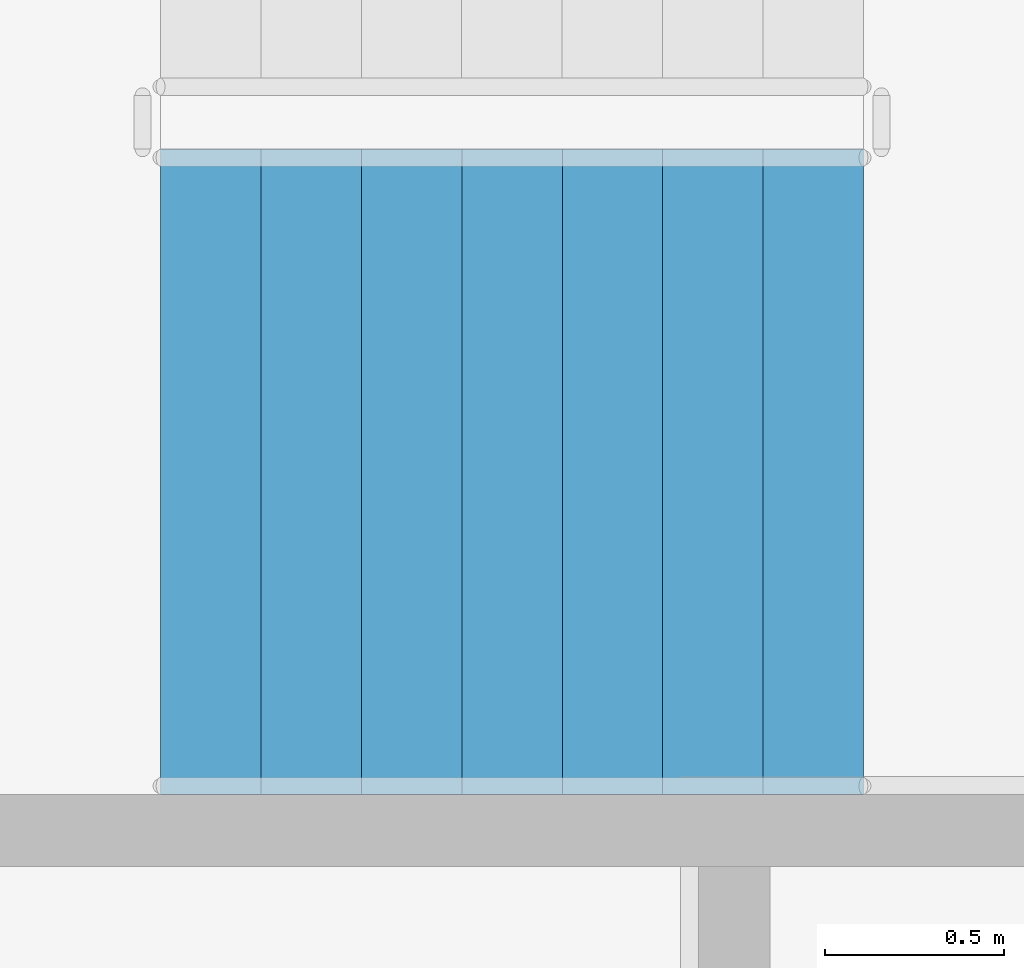
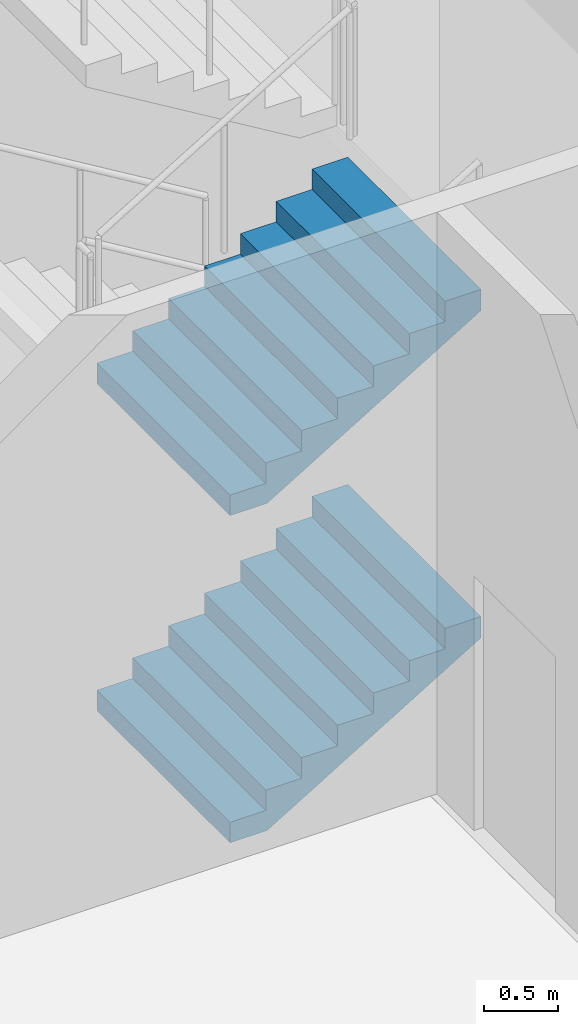
# One storey, part 35 of 101: 2 stair flights, 1 element without a shape of its own.
"""IFC4 building model written with IfcOpenShell, lengths in metres."""

from ifc_helpers import new_model, si_unit, direction, frame, origin, place, context, subcontext, project, spatial, triangles, material, type_object, element, aggregate, save


model = new_model("IFC4")

# Units and contexts
model_context = context("Model", 3, precision=1e-05, world=origin(), true_north=direction((0.0, 1.0)))
body_context = subcontext(model_context, "Body", "Model", "MODEL_VIEW")
ifc_project = project(units=[si_unit("LENGTHUNIT", "METRE"), si_unit("AREAUNIT", "SQUARE_METRE"), si_unit("VOLUMEUNIT", "CUBIC_METRE"), si_unit("PLANEANGLEUNIT", "RADIAN"), si_unit("MASSUNIT", "GRAM", prefix="KILO")], contexts=[model_context])

# Site, building, storey
site_placement = place(None, origin())
site = spatial("IfcSite", under=ifc_project, at=site_placement, CompositionType="ELEMENT")
building_placement = place(site_placement, origin())
building = spatial("IfcBuilding", under=site, at=building_placement, Name="Magnolia Steps Interchange", CompositionType="ELEMENT")
storey_placement = place(building_placement, frame((0.0, 0.0, -5.39990234375)))
storey = spatial("IfcBuildingStorey", under=building, at=storey_placement, Name="B1", CompositionType="ELEMENT", Elevation=-5.39990234375)

# Stair, stair flights
ifc_material_1 = material(Name="Concrete C40", Category="concrete")
stair_type = type_object("IfcStairType", Name="Exit stair 1800", PredefinedType="HALF_TURN_STAIR", material=ifc_material_1)
stair_placement = place(storey_placement, origin())
stair = element("IfcStair", 1, at=stair_placement, inside=storey, type_object=stair_type, Name="B1 Stair 25", PredefinedType="HALF_TURN_STAIR")
ifc_material_2 = material(Name="Concrete C40", Category="concrete")
stair_flight_type = type_object("IfcStairFlightType", Name="Exit stair flight", PredefinedType="STRAIGHT", material=ifc_material_2)
stair_flight_1_placement = place(storey_placement, frame((38.199951171875, 17.550048828125, 0.0), z_axis=(0.0, 0.0, 1.0), x_axis=(1.0, 0.0, 0.0)))
stair_flight_1 = element("IfcStairFlight", 2, at=stair_flight_1_placement, type_object=stair_flight_type, Name="Stair 25 flight 1", NumberOfRisers=8, NumberOfTreads=7, PredefinedType="STRAIGHT", RiserHeight=0.16875, TreadLength=0.28, context=body_context, shape_type="Tessellation", body=[
    triangles([(0.0, -0.9000244140625, 0.0), (0.29052734375, -0.9000244140625, 0.0), (1.9599609375, -0.9000244140625, 1.00634765625), (1.9599609375, -0.9000244140625, 1.18115234375), (1.679931640625, -0.9000244140625, 1.18115234375), (1.679931640625, -0.9000244140625, 1.012451171875), (1.39990234375, -0.9000244140625, 1.012451171875), (1.39990234375, -0.9000244140625, 0.84375), (1.1201171875, -0.9000244140625, 0.84375), (1.1201171875, -0.9000244140625, 0.675048828125), (0.840087890625, -0.9000244140625, 0.675048828125), (0.840087890625, -0.9000244140625, 0.50634765625), (0.56005859375, -0.9000244140625, 0.50634765625), (0.56005859375, -0.9000244140625, 0.33740234375), (0.280029296875, -0.9000244140625, 0.33740234375), (0.280029296875, -0.9000244140625, 0.168701171875), (0.0, -0.9000244140625, 0.168701171875), (0.0, 0.9000244140625, 0.0), (0.29052734375, 0.9000244140625, 0.0), (1.9599609375, 0.9000244140625, 1.00634765625), (1.9599609375, 0.9000244140625, 1.18115234375), (1.679931640625, 0.9000244140625, 1.18115234375), (1.679931640625, 0.9000244140625, 1.012451171875), (1.39990234375, 0.9000244140625, 1.012451171875), (1.39990234375, 0.9000244140625, 0.84375), (1.1201171875, 0.9000244140625, 0.84375), (1.1201171875, 0.9000244140625, 0.675048828125), (0.840087890625, 0.9000244140625, 0.675048828125), (0.840087890625, 0.9000244140625, 0.50634765625), (0.56005859375, 0.9000244140625, 0.50634765625), (0.56005859375, 0.9000244140625, 0.33740234375), (0.280029296875, 0.9000244140625, 0.33740234375), (0.280029296875, 0.9000244140625, 0.168701171875), (0.0, 0.9000244140625, 0.168701171875), (0.0, 0.0, 0.0), (0.0, 0.0, 0.04217529296875), (0.0, 0.0, 0.0843505859375), (0.0, 0.0, 0.12652587890625), (0.0, 0.0, 0.168701171875), (0.0, -0.05, 0.0), (0.0, -0.05, 0.168701171875), (0.0, 0.05, 0.0), (0.0, 0.05, 0.168701171875), (0.046671549479166664, 0.0, 0.168701171875), (0.09334309895833333, 0.0, 0.168701171875), (0.1400146484375, 0.0, 0.168701171875), (0.18668619791666666, 0.0, 0.168701171875), (0.23335774739583334, 0.0, 0.168701171875), (0.280029296875, 0.0, 0.168701171875), (0.280029296875, -0.05, 0.168701171875), (0.280029296875, 0.05, 0.168701171875), (0.280029296875, 0.0, 0.21087646484375), (0.280029296875, 0.0, 0.2530517578125), (0.280029296875, 0.0, 0.29522705078125), (0.280029296875, 0.0, 0.33740234375), (0.280029296875, -0.05, 0.33740234375), (0.280029296875, 0.05, 0.33740234375), (0.3267008463541667, 0.0, 0.33740234375), (0.3733723958333333, 0.0, 0.33740234375), (0.4200439453125, 0.0, 0.33740234375), (0.46671549479166663, 0.0, 0.33740234375), (0.5133870442708334, 0.0, 0.33740234375), (0.56005859375, 0.0, 0.33740234375), (0.56005859375, -0.05, 0.33740234375), (0.56005859375, 0.05, 0.33740234375), (0.56005859375, 0.0, 0.379638671875), (0.56005859375, 0.0, 0.421875), (0.56005859375, 0.0, 0.464111328125), (0.56005859375, 0.0, 0.50634765625), (0.56005859375, -0.05, 0.50634765625), (0.56005859375, 0.05, 0.50634765625), (0.6067301432291666, 0.0, 0.50634765625), (0.6534016927083334, 0.0, 0.50634765625), (0.7000732421875, 0.0, 0.50634765625), (0.7467447916666666, 0.0, 0.50634765625), (0.7934163411458334, 0.0, 0.50634765625), (0.840087890625, 0.0, 0.50634765625), (0.840087890625, -0.05, 0.50634765625), (0.840087890625, 0.05, 0.50634765625), (0.840087890625, 0.0, 0.54852294921875), (0.840087890625, 0.0, 0.5906982421875), (0.840087890625, 0.0, 0.63287353515625), (0.840087890625, 0.0, 0.675048828125), (0.840087890625, -0.05, 0.675048828125), (0.840087890625, 0.05, 0.675048828125), (0.8867594401041666, 0.0, 0.675048828125), (0.9334309895833334, 0.0, 0.675048828125), (0.9801025390625, 0.0, 0.675048828125), (1.0267740885416667, 0.0, 0.675048828125), (1.0734456380208333, 0.0, 0.675048828125), (1.1201171875, 0.0, 0.675048828125), (1.1201171875, -0.05, 0.675048828125), (1.1201171875, 0.05, 0.675048828125), (1.1201171875, 0.0, 0.71722412109375), (1.1201171875, 0.0, 0.7593994140625), (1.1201171875, 0.0, 0.80157470703125), (1.1201171875, 0.0, 0.84375), (1.1201171875, -0.05, 0.84375), (1.1201171875, 0.05, 0.84375), (1.1900634765625, 0.0, 0.84375), (1.260009765625, 0.0, 0.84375), (1.3299560546875, 0.0, 0.84375), (1.39990234375, 0.0, 0.84375), (1.39990234375, -0.05, 0.84375), (1.39990234375, 0.05, 0.84375), (1.39990234375, 0.0, 0.88592529296875), (1.39990234375, 0.0, 0.9281005859375), (1.39990234375, 0.0, 0.97027587890625), (1.39990234375, 0.0, 1.012451171875), (1.39990234375, -0.05, 1.012451171875), (1.39990234375, 0.05, 1.012451171875), (1.4465738932291667, 0.0, 1.012451171875), (1.4932454427083333, 0.0, 1.012451171875), (1.5399169921875, 0.0, 1.012451171875), (1.5865885416666667, 0.0, 1.012451171875), (1.6332600911458333, 0.0, 1.012451171875), (1.679931640625, 0.0, 1.012451171875), (1.679931640625, -0.05, 1.012451171875), (1.679931640625, 0.05, 1.012451171875), (1.679931640625, 0.0, 1.05462646484375), (1.679931640625, 0.0, 1.0968017578125), (1.679931640625, 0.0, 1.13897705078125), (1.679931640625, 0.0, 1.18115234375), (1.679931640625, -0.05, 1.18115234375), (1.679931640625, 0.05, 1.18115234375), (1.7266031901041667, 0.0, 1.18115234375), (1.7732747395833333, 0.0, 1.18115234375), (1.8199462890625, 0.0, 1.18115234375), (1.8666178385416667, 0.0, 1.18115234375), (1.9132893880208333, 0.0, 1.18115234375), (1.9599609375, 0.0, 1.18115234375), (1.9599609375, -0.05, 1.18115234375), (1.9599609375, 0.05, 1.18115234375), (1.9599609375, 0.0, 1.137451171875), (1.9599609375, 0.0, 1.09375), (1.9599609375, 0.0, 1.050048828125), (1.9599609375, 0.0, 1.00634765625), (1.9599609375, -0.05, 1.00634765625), (1.9599609375, 0.05, 1.00634765625), (1.9003383091517858, 0.0, 0.9704066685267857), (1.8407156808035714, 0.0, 0.9344656808035714), (1.7810930524553572, 0.0, 0.8985246930803571), (1.7214704241071428, 0.0, 0.8625837053571428), (1.6618477957589286, 0.0, 0.8266427176339286), (1.6022251674107144, 0.0, 0.7907017299107143), (1.5426025390625, 0.0, 0.7547607421875), (1.4829799107142856, 0.0, 0.7188197544642857), (1.4233572823660714, 0.0, 0.6828787667410714), (1.3637346540178572, 0.0, 0.6469377790178572), (1.3041120256696428, 0.0, 0.6109967912946428), (1.2444893973214286, 0.0, 0.5750558035714286), (1.1848667689732144, 0.0, 0.5391148158482143), (1.125244140625, 0.0, 0.503173828125), (1.0656215122767856, 0.0, 0.4672328404017857), (1.0059988839285714, 0.0, 0.4312918526785714), (0.9463762555803572, 0.0, 0.3953508649553571), (0.8867536272321428, 0.0, 0.3594098772321429), (0.8271309988839286, 0.0, 0.3234688895089286), (0.7675083705357142, 0.0, 0.2875279017857143), (0.7078857421875, 0.0, 0.2515869140625), (0.6482631138392858, 0.0, 0.2156459263392857), (0.5886404854910714, 0.0, 0.1797049386160714), (0.5290178571428572, 0.0, 0.1437639508928571), (0.4693952287946428, 0.0, 0.1078229631696429), (0.4097726004464286, 0.0, 0.0718819754464286), (0.3501499720982142, 0.0, 0.0359409877232143), (0.29052734375, 0.0, 0.0), (0.29052734375, -0.05, 0.0), (0.29052734375, 0.05, 0.0), (0.24210611979166666, 0.0, 0.0), (0.19368489583333331, 0.0, 0.0), (0.145263671875, 0.0, 0.0), (0.09684244791666666, 0.0, 0.0), (0.04842122395833334, 0.0, 0.0)], [[1, 2, 3], [3, 4, 5], [3, 5, 6], [3, 6, 7], [3, 7, 8], [8, 9, 10], [3, 8, 10], [10, 11, 12], [3, 10, 12], [12, 13, 14], [3, 12, 14], [14, 15, 16], [3, 14, 16], [1, 3, 16], [16, 17, 1], [18, 20, 19], [20, 22, 21], [20, 23, 22], [20, 24, 23], [20, 25, 24], [25, 27, 26], [20, 27, 25], [27, 29, 28], [20, 29, 27], [29, 31, 30], [20, 31, 29], [31, 33, 32], [20, 33, 31], [18, 33, 20], [33, 18, 34], [1, 17, 41], [1, 41, 40], [40, 36, 35], [40, 37, 36], [40, 41, 37], [41, 38, 37], [41, 39, 38], [18, 43, 34], [18, 42, 43], [42, 35, 36], [42, 36, 37], [42, 37, 43], [43, 37, 38], [43, 38, 39], [17, 16, 50], [17, 50, 41], [41, 44, 39], [41, 45, 44], [41, 46, 45], [41, 50, 46], [50, 47, 46], [50, 48, 47], [50, 49, 48], [34, 51, 33], [34, 43, 51], [43, 39, 44], [43, 44, 45], [43, 45, 46], [43, 46, 51], [51, 46, 47], [51, 47, 48], [51, 48, 49], [16, 15, 56], [16, 56, 50], [50, 52, 49], [50, 53, 52], [50, 56, 53], [56, 54, 53], [56, 55, 54], [33, 57, 32], [33, 51, 57], [51, 49, 52], [51, 52, 53], [51, 53, 57], [57, 53, 54], [57, 54, 55], [15, 14, 64], [15, 64, 56], [56, 58, 55], [56, 59, 58], [56, 60, 59], [56, 64, 60], [64, 61, 60], [64, 62, 61], [64, 63, 62], [32, 65, 31], [32, 57, 65], [57, 55, 58], [57, 58, 59], [57, 59, 60], [57, 60, 65], [65, 60, 61], [65, 61, 62], [65, 62, 63], [14, 13, 70], [14, 70, 64], [64, 66, 63], [64, 67, 66], [64, 70, 67], [70, 68, 67], [70, 69, 68], [31, 71, 30], [31, 65, 71], [65, 63, 66], [65, 66, 67], [65, 67, 71], [71, 67, 68], [71, 68, 69], [13, 12, 78], [13, 78, 70], [70, 72, 69], [70, 73, 72], [70, 74, 73], [70, 78, 74], [78, 75, 74], [78, 76, 75], [78, 77, 76], [30, 79, 29], [30, 71, 79], [71, 69, 72], [71, 72, 73], [71, 73, 74], [71, 74, 79], [79, 74, 75], [79, 75, 76], [79, 76, 77], [12, 11, 84], [12, 84, 78], [78, 80, 77], [78, 81, 80], [78, 84, 81], [84, 82, 81], [84, 83, 82], [29, 85, 28], [29, 79, 85], [79, 77, 80], [79, 80, 81], [79, 81, 85], [85, 81, 82], [85, 82, 83], [11, 10, 92], [11, 92, 84], [84, 86, 83], [84, 87, 86], [84, 88, 87], [84, 92, 88], [92, 89, 88], [92, 90, 89], [92, 91, 90], [28, 93, 27], [28, 85, 93], [85, 83, 86], [85, 86, 87], [85, 87, 88], [85, 88, 93], [93, 88, 89], [93, 89, 90], [93, 90, 91], [10, 9, 98], [10, 98, 92], [92, 94, 91], [92, 95, 94], [92, 98, 95], [98, 96, 95], [98, 97, 96], [27, 99, 26], [27, 93, 99], [93, 91, 94], [93, 94, 95], [93, 95, 99], [99, 95, 96], [99, 96, 97], [9, 8, 104], [9, 104, 98], [98, 100, 97], [98, 101, 100], [98, 104, 101], [104, 102, 101], [104, 103, 102], [26, 105, 25], [26, 99, 105], [99, 97, 100], [99, 100, 101], [99, 101, 105], [105, 101, 102], [105, 102, 103], [8, 7, 110], [8, 110, 104], [104, 106, 103], [104, 107, 106], [104, 110, 107], [110, 108, 107], [110, 109, 108], [25, 111, 24], [25, 105, 111], [105, 103, 106], [105, 106, 107], [105, 107, 111], [111, 107, 108], [111, 108, 109], [7, 6, 118], [7, 118, 110], [110, 112, 109], [110, 113, 112], [110, 114, 113], [110, 118, 114], [118, 115, 114], [118, 116, 115], [118, 117, 116], [24, 119, 23], [24, 111, 119], [111, 109, 112], [111, 112, 113], [111, 113, 114], [111, 114, 119], [119, 114, 115], [119, 115, 116], [119, 116, 117], [6, 5, 124], [6, 124, 118], [118, 120, 117], [118, 121, 120], [118, 124, 121], [124, 122, 121], [124, 123, 122], [23, 125, 22], [23, 119, 125], [119, 117, 120], [119, 120, 121], [119, 121, 125], [125, 121, 122], [125, 122, 123], [5, 4, 132], [5, 132, 124], [124, 126, 123], [124, 127, 126], [124, 128, 127], [124, 132, 128], [132, 129, 128], [132, 130, 129], [132, 131, 130], [22, 133, 21], [22, 125, 133], [125, 123, 126], [125, 126, 127], [125, 127, 128], [125, 128, 133], [133, 128, 129], [133, 129, 130], [133, 130, 131], [4, 3, 138], [4, 138, 132], [132, 134, 131], [132, 135, 134], [132, 138, 135], [138, 136, 135], [138, 137, 136], [21, 139, 20], [21, 133, 139], [133, 131, 134], [133, 134, 135], [133, 135, 139], [139, 135, 136], [139, 136, 137], [3, 2, 168], [3, 168, 138], [138, 140, 137], [138, 141, 140], [138, 142, 141], [138, 143, 142], [138, 144, 143], [138, 145, 144], [138, 146, 145], [138, 147, 146], [138, 148, 147], [138, 149, 148], [138, 150, 149], [138, 151, 150], [138, 152, 151], [138, 153, 152], [138, 168, 153], [168, 154, 153], [168, 155, 154], [168, 156, 155], [168, 157, 156], [168, 158, 157], [168, 159, 158], [168, 160, 159], [168, 161, 160], [168, 162, 161], [168, 163, 162], [168, 164, 163], [168, 165, 164], [168, 166, 165], [168, 167, 166], [20, 169, 19], [20, 139, 169], [139, 137, 140], [139, 140, 141], [139, 141, 142], [139, 142, 143], [139, 143, 144], [139, 144, 145], [139, 145, 146], [139, 146, 147], [139, 147, 148], [139, 148, 149], [139, 149, 150], [139, 150, 151], [139, 151, 152], [139, 152, 153], [139, 153, 169], [169, 153, 154], [169, 154, 155], [169, 155, 156], [169, 156, 157], [169, 157, 158], [169, 158, 159], [169, 159, 160], [169, 160, 161], [169, 161, 162], [169, 162, 163], [169, 163, 164], [169, 164, 165], [169, 165, 166], [169, 166, 167], [2, 1, 40], [2, 40, 168], [168, 170, 167], [168, 171, 170], [168, 172, 171], [168, 40, 172], [40, 173, 172], [40, 174, 173], [40, 35, 174], [19, 42, 18], [19, 169, 42], [169, 167, 170], [169, 170, 171], [169, 171, 172], [169, 172, 42], [42, 172, 173], [42, 173, 174], [42, 174, 35]], closed=True),
])
stair_flight_2_placement = place(storey_placement, frame((38.199951171875, 17.550048828125, 2.699951171875), z_axis=(0.0, 0.0, 1.0), x_axis=(1.0, 0.0, 0.0)))
stair_flight_2 = element("IfcStairFlight", 3, at=stair_flight_2_placement, type_object=stair_flight_type, Name="Stair 25 flight 3", NumberOfRisers=8, NumberOfTreads=7, PredefinedType="STRAIGHT", RiserHeight=0.16875, TreadLength=0.28, context=body_context, shape_type="Tessellation", body=[
    triangles([(0.0, -0.9000244140625, 0.0), (0.29052734375, -0.9000244140625, 0.0), (1.9599609375, -0.9000244140625, 1.00634765625), (1.9599609375, -0.9000244140625, 1.18115234375), (1.679931640625, -0.9000244140625, 1.18115234375), (1.679931640625, -0.9000244140625, 1.012451171875), (1.39990234375, -0.9000244140625, 1.012451171875), (1.39990234375, -0.9000244140625, 0.84375), (1.1201171875, -0.9000244140625, 0.84375), (1.1201171875, -0.9000244140625, 0.675048828125), (0.840087890625, -0.9000244140625, 0.675048828125), (0.840087890625, -0.9000244140625, 0.50634765625), (0.56005859375, -0.9000244140625, 0.50634765625), (0.56005859375, -0.9000244140625, 0.33740234375), (0.280029296875, -0.9000244140625, 0.33740234375), (0.280029296875, -0.9000244140625, 0.168701171875), (0.0, -0.9000244140625, 0.168701171875), (0.0, 0.9000244140625, 0.0), (0.29052734375, 0.9000244140625, 0.0), (1.9599609375, 0.9000244140625, 1.00634765625), (1.9599609375, 0.9000244140625, 1.18115234375), (1.679931640625, 0.9000244140625, 1.18115234375), (1.679931640625, 0.9000244140625, 1.012451171875), (1.39990234375, 0.9000244140625, 1.012451171875), (1.39990234375, 0.9000244140625, 0.84375), (1.1201171875, 0.9000244140625, 0.84375), (1.1201171875, 0.9000244140625, 0.675048828125), (0.840087890625, 0.9000244140625, 0.675048828125), (0.840087890625, 0.9000244140625, 0.50634765625), (0.56005859375, 0.9000244140625, 0.50634765625), (0.56005859375, 0.9000244140625, 0.33740234375), (0.280029296875, 0.9000244140625, 0.33740234375), (0.280029296875, 0.9000244140625, 0.168701171875), (0.0, 0.9000244140625, 0.168701171875), (0.0, 0.0, 0.0), (0.0, 0.0, 0.04217529296875), (0.0, 0.0, 0.0843505859375), (0.0, 0.0, 0.12652587890625), (0.0, 0.0, 0.168701171875), (0.0, -0.05, 0.0), (0.0, -0.05, 0.168701171875), (0.0, 0.05, 0.0), (0.0, 0.05, 0.168701171875), (0.046671549479166664, 0.0, 0.168701171875), (0.09334309895833333, 0.0, 0.168701171875), (0.1400146484375, 0.0, 0.168701171875), (0.18668619791666666, 0.0, 0.168701171875), (0.23335774739583334, 0.0, 0.168701171875), (0.280029296875, 0.0, 0.168701171875), (0.280029296875, -0.05, 0.168701171875), (0.280029296875, 0.05, 0.168701171875), (0.280029296875, 0.0, 0.21087646484375), (0.280029296875, 0.0, 0.2530517578125), (0.280029296875, 0.0, 0.29522705078125), (0.280029296875, 0.0, 0.33740234375), (0.280029296875, -0.05, 0.33740234375), (0.280029296875, 0.05, 0.33740234375), (0.3267008463541667, 0.0, 0.33740234375), (0.3733723958333333, 0.0, 0.33740234375), (0.4200439453125, 0.0, 0.33740234375), (0.46671549479166663, 0.0, 0.33740234375), (0.5133870442708334, 0.0, 0.33740234375), (0.56005859375, 0.0, 0.33740234375), (0.56005859375, -0.05, 0.33740234375), (0.56005859375, 0.05, 0.33740234375), (0.56005859375, 0.0, 0.379638671875), (0.56005859375, 0.0, 0.421875), (0.56005859375, 0.0, 0.464111328125), (0.56005859375, 0.0, 0.50634765625), (0.56005859375, -0.05, 0.50634765625), (0.56005859375, 0.05, 0.50634765625), (0.6067301432291666, 0.0, 0.50634765625), (0.6534016927083334, 0.0, 0.50634765625), (0.7000732421875, 0.0, 0.50634765625), (0.7467447916666666, 0.0, 0.50634765625), (0.7934163411458334, 0.0, 0.50634765625), (0.840087890625, 0.0, 0.50634765625), (0.840087890625, -0.05, 0.50634765625), (0.840087890625, 0.05, 0.50634765625), (0.840087890625, 0.0, 0.54852294921875), (0.840087890625, 0.0, 0.5906982421875), (0.840087890625, 0.0, 0.63287353515625), (0.840087890625, 0.0, 0.675048828125), (0.840087890625, -0.05, 0.675048828125), (0.840087890625, 0.05, 0.675048828125), (0.8867594401041666, 0.0, 0.675048828125), (0.9334309895833334, 0.0, 0.675048828125), (0.9801025390625, 0.0, 0.675048828125), (1.0267740885416667, 0.0, 0.675048828125), (1.0734456380208333, 0.0, 0.675048828125), (1.1201171875, 0.0, 0.675048828125), (1.1201171875, -0.05, 0.675048828125), (1.1201171875, 0.05, 0.675048828125), (1.1201171875, 0.0, 0.71722412109375), (1.1201171875, 0.0, 0.7593994140625), (1.1201171875, 0.0, 0.80157470703125), (1.1201171875, 0.0, 0.84375), (1.1201171875, -0.05, 0.84375), (1.1201171875, 0.05, 0.84375), (1.1900634765625, 0.0, 0.84375), (1.260009765625, 0.0, 0.84375), (1.3299560546875, 0.0, 0.84375), (1.39990234375, 0.0, 0.84375), (1.39990234375, -0.05, 0.84375), (1.39990234375, 0.05, 0.84375), (1.39990234375, 0.0, 0.88592529296875), (1.39990234375, 0.0, 0.9281005859375), (1.39990234375, 0.0, 0.97027587890625), (1.39990234375, 0.0, 1.012451171875), (1.39990234375, -0.05, 1.012451171875), (1.39990234375, 0.05, 1.012451171875), (1.4465738932291667, 0.0, 1.012451171875), (1.4932454427083333, 0.0, 1.012451171875), (1.5399169921875, 0.0, 1.012451171875), (1.5865885416666667, 0.0, 1.012451171875), (1.6332600911458333, 0.0, 1.012451171875), (1.679931640625, 0.0, 1.012451171875), (1.679931640625, -0.05, 1.012451171875), (1.679931640625, 0.05, 1.012451171875), (1.679931640625, 0.0, 1.05462646484375), (1.679931640625, 0.0, 1.0968017578125), (1.679931640625, 0.0, 1.13897705078125), (1.679931640625, 0.0, 1.18115234375), (1.679931640625, -0.05, 1.18115234375), (1.679931640625, 0.05, 1.18115234375), (1.7266031901041667, 0.0, 1.18115234375), (1.7732747395833333, 0.0, 1.18115234375), (1.8199462890625, 0.0, 1.18115234375), (1.8666178385416667, 0.0, 1.18115234375), (1.9132893880208333, 0.0, 1.18115234375), (1.9599609375, 0.0, 1.18115234375), (1.9599609375, -0.05, 1.18115234375), (1.9599609375, 0.05, 1.18115234375), (1.9599609375, 0.0, 1.137451171875), (1.9599609375, 0.0, 1.09375), (1.9599609375, 0.0, 1.050048828125), (1.9599609375, 0.0, 1.00634765625), (1.9599609375, -0.05, 1.00634765625), (1.9599609375, 0.05, 1.00634765625), (1.9003383091517858, 0.0, 0.9704066685267857), (1.8407156808035714, 0.0, 0.9344656808035714), (1.7810930524553572, 0.0, 0.8985246930803571), (1.7214704241071428, 0.0, 0.8625837053571428), (1.6618477957589286, 0.0, 0.8266427176339286), (1.6022251674107144, 0.0, 0.7907017299107143), (1.5426025390625, 0.0, 0.7547607421875), (1.4829799107142856, 0.0, 0.7188197544642857), (1.4233572823660714, 0.0, 0.6828787667410714), (1.3637346540178572, 0.0, 0.6469377790178572), (1.3041120256696428, 0.0, 0.6109967912946428), (1.2444893973214286, 0.0, 0.5750558035714286), (1.1848667689732144, 0.0, 0.5391148158482143), (1.125244140625, 0.0, 0.503173828125), (1.0656215122767856, 0.0, 0.4672328404017857), (1.0059988839285714, 0.0, 0.4312918526785714), (0.9463762555803572, 0.0, 0.3953508649553571), (0.8867536272321428, 0.0, 0.3594098772321429), (0.8271309988839286, 0.0, 0.3234688895089286), (0.7675083705357142, 0.0, 0.2875279017857143), (0.7078857421875, 0.0, 0.2515869140625), (0.6482631138392858, 0.0, 0.2156459263392857), (0.5886404854910714, 0.0, 0.1797049386160714), (0.5290178571428572, 0.0, 0.1437639508928571), (0.4693952287946428, 0.0, 0.1078229631696429), (0.4097726004464286, 0.0, 0.0718819754464286), (0.3501499720982142, 0.0, 0.0359409877232143), (0.29052734375, 0.0, 0.0), (0.29052734375, -0.05, 0.0), (0.29052734375, 0.05, 0.0), (0.24210611979166666, 0.0, 0.0), (0.19368489583333331, 0.0, 0.0), (0.145263671875, 0.0, 0.0), (0.09684244791666666, 0.0, 0.0), (0.04842122395833334, 0.0, 0.0)], [[1, 2, 3], [3, 4, 5], [3, 5, 6], [3, 6, 7], [3, 7, 8], [8, 9, 10], [3, 8, 10], [10, 11, 12], [3, 10, 12], [12, 13, 14], [3, 12, 14], [14, 15, 16], [3, 14, 16], [1, 3, 16], [16, 17, 1], [18, 20, 19], [20, 22, 21], [20, 23, 22], [20, 24, 23], [20, 25, 24], [25, 27, 26], [20, 27, 25], [27, 29, 28], [20, 29, 27], [29, 31, 30], [20, 31, 29], [31, 33, 32], [20, 33, 31], [18, 33, 20], [33, 18, 34], [1, 17, 41], [1, 41, 40], [40, 36, 35], [40, 37, 36], [40, 41, 37], [41, 38, 37], [41, 39, 38], [18, 43, 34], [18, 42, 43], [42, 35, 36], [42, 36, 37], [42, 37, 43], [43, 37, 38], [43, 38, 39], [17, 16, 50], [17, 50, 41], [41, 44, 39], [41, 45, 44], [41, 46, 45], [41, 50, 46], [50, 47, 46], [50, 48, 47], [50, 49, 48], [34, 51, 33], [34, 43, 51], [43, 39, 44], [43, 44, 45], [43, 45, 46], [43, 46, 51], [51, 46, 47], [51, 47, 48], [51, 48, 49], [16, 15, 56], [16, 56, 50], [50, 52, 49], [50, 53, 52], [50, 56, 53], [56, 54, 53], [56, 55, 54], [33, 57, 32], [33, 51, 57], [51, 49, 52], [51, 52, 53], [51, 53, 57], [57, 53, 54], [57, 54, 55], [15, 14, 64], [15, 64, 56], [56, 58, 55], [56, 59, 58], [56, 60, 59], [56, 64, 60], [64, 61, 60], [64, 62, 61], [64, 63, 62], [32, 65, 31], [32, 57, 65], [57, 55, 58], [57, 58, 59], [57, 59, 60], [57, 60, 65], [65, 60, 61], [65, 61, 62], [65, 62, 63], [14, 13, 70], [14, 70, 64], [64, 66, 63], [64, 67, 66], [64, 70, 67], [70, 68, 67], [70, 69, 68], [31, 71, 30], [31, 65, 71], [65, 63, 66], [65, 66, 67], [65, 67, 71], [71, 67, 68], [71, 68, 69], [13, 12, 78], [13, 78, 70], [70, 72, 69], [70, 73, 72], [70, 74, 73], [70, 78, 74], [78, 75, 74], [78, 76, 75], [78, 77, 76], [30, 79, 29], [30, 71, 79], [71, 69, 72], [71, 72, 73], [71, 73, 74], [71, 74, 79], [79, 74, 75], [79, 75, 76], [79, 76, 77], [12, 11, 84], [12, 84, 78], [78, 80, 77], [78, 81, 80], [78, 84, 81], [84, 82, 81], [84, 83, 82], [29, 85, 28], [29, 79, 85], [79, 77, 80], [79, 80, 81], [79, 81, 85], [85, 81, 82], [85, 82, 83], [11, 10, 92], [11, 92, 84], [84, 86, 83], [84, 87, 86], [84, 88, 87], [84, 92, 88], [92, 89, 88], [92, 90, 89], [92, 91, 90], [28, 93, 27], [28, 85, 93], [85, 83, 86], [85, 86, 87], [85, 87, 88], [85, 88, 93], [93, 88, 89], [93, 89, 90], [93, 90, 91], [10, 9, 98], [10, 98, 92], [92, 94, 91], [92, 95, 94], [92, 98, 95], [98, 96, 95], [98, 97, 96], [27, 99, 26], [27, 93, 99], [93, 91, 94], [93, 94, 95], [93, 95, 99], [99, 95, 96], [99, 96, 97], [9, 8, 104], [9, 104, 98], [98, 100, 97], [98, 101, 100], [98, 104, 101], [104, 102, 101], [104, 103, 102], [26, 105, 25], [26, 99, 105], [99, 97, 100], [99, 100, 101], [99, 101, 105], [105, 101, 102], [105, 102, 103], [8, 7, 110], [8, 110, 104], [104, 106, 103], [104, 107, 106], [104, 110, 107], [110, 108, 107], [110, 109, 108], [25, 111, 24], [25, 105, 111], [105, 103, 106], [105, 106, 107], [105, 107, 111], [111, 107, 108], [111, 108, 109], [7, 6, 118], [7, 118, 110], [110, 112, 109], [110, 113, 112], [110, 114, 113], [110, 118, 114], [118, 115, 114], [118, 116, 115], [118, 117, 116], [24, 119, 23], [24, 111, 119], [111, 109, 112], [111, 112, 113], [111, 113, 114], [111, 114, 119], [119, 114, 115], [119, 115, 116], [119, 116, 117], [6, 5, 124], [6, 124, 118], [118, 120, 117], [118, 121, 120], [118, 124, 121], [124, 122, 121], [124, 123, 122], [23, 125, 22], [23, 119, 125], [119, 117, 120], [119, 120, 121], [119, 121, 125], [125, 121, 122], [125, 122, 123], [5, 4, 132], [5, 132, 124], [124, 126, 123], [124, 127, 126], [124, 128, 127], [124, 132, 128], [132, 129, 128], [132, 130, 129], [132, 131, 130], [22, 133, 21], [22, 125, 133], [125, 123, 126], [125, 126, 127], [125, 127, 128], [125, 128, 133], [133, 128, 129], [133, 129, 130], [133, 130, 131], [4, 3, 138], [4, 138, 132], [132, 134, 131], [132, 135, 134], [132, 138, 135], [138, 136, 135], [138, 137, 136], [21, 139, 20], [21, 133, 139], [133, 131, 134], [133, 134, 135], [133, 135, 139], [139, 135, 136], [139, 136, 137], [3, 2, 168], [3, 168, 138], [138, 140, 137], [138, 141, 140], [138, 142, 141], [138, 143, 142], [138, 144, 143], [138, 145, 144], [138, 146, 145], [138, 147, 146], [138, 148, 147], [138, 149, 148], [138, 150, 149], [138, 151, 150], [138, 152, 151], [138, 153, 152], [138, 168, 153], [168, 154, 153], [168, 155, 154], [168, 156, 155], [168, 157, 156], [168, 158, 157], [168, 159, 158], [168, 160, 159], [168, 161, 160], [168, 162, 161], [168, 163, 162], [168, 164, 163], [168, 165, 164], [168, 166, 165], [168, 167, 166], [20, 169, 19], [20, 139, 169], [139, 137, 140], [139, 140, 141], [139, 141, 142], [139, 142, 143], [139, 143, 144], [139, 144, 145], [139, 145, 146], [139, 146, 147], [139, 147, 148], [139, 148, 149], [139, 149, 150], [139, 150, 151], [139, 151, 152], [139, 152, 153], [139, 153, 169], [169, 153, 154], [169, 154, 155], [169, 155, 156], [169, 156, 157], [169, 157, 158], [169, 158, 159], [169, 159, 160], [169, 160, 161], [169, 161, 162], [169, 162, 163], [169, 163, 164], [169, 164, 165], [169, 165, 166], [169, 166, 167], [2, 1, 40], [2, 40, 168], [168, 170, 167], [168, 171, 170], [168, 172, 171], [168, 40, 172], [40, 173, 172], [40, 174, 173], [40, 35, 174], [19, 42, 18], [19, 169, 42], [169, 167, 170], [169, 170, 171], [169, 171, 172], [169, 172, 42], [42, 172, 173], [42, 173, 174], [42, 174, 35]], closed=True),
])
aggregate(stair, [stair_flight_1, stair_flight_2])

save(model, "model.ifc")
